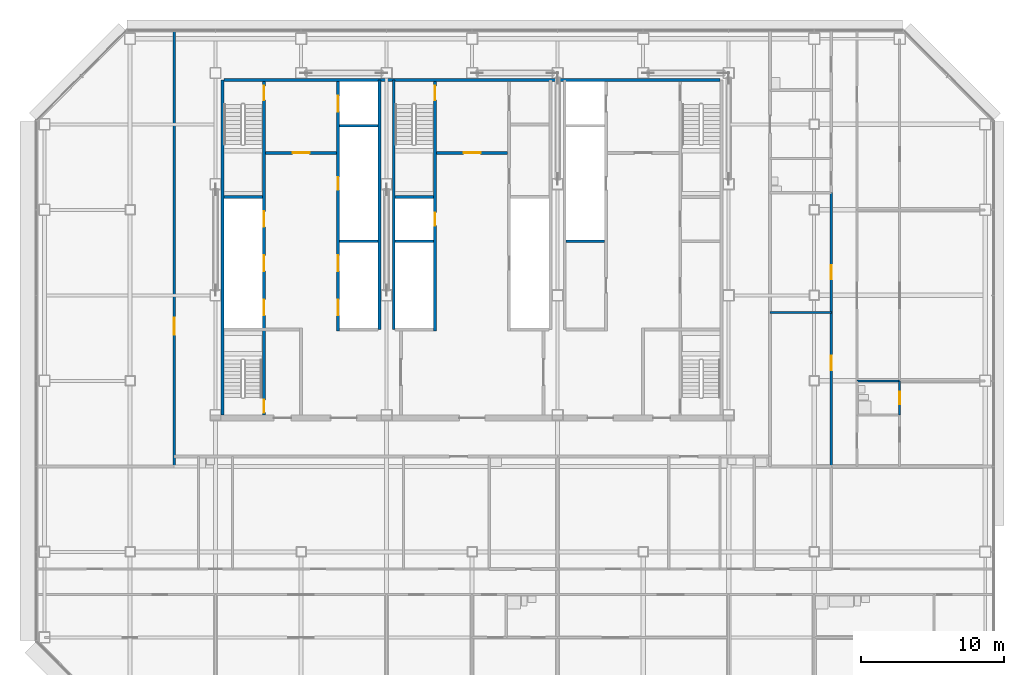
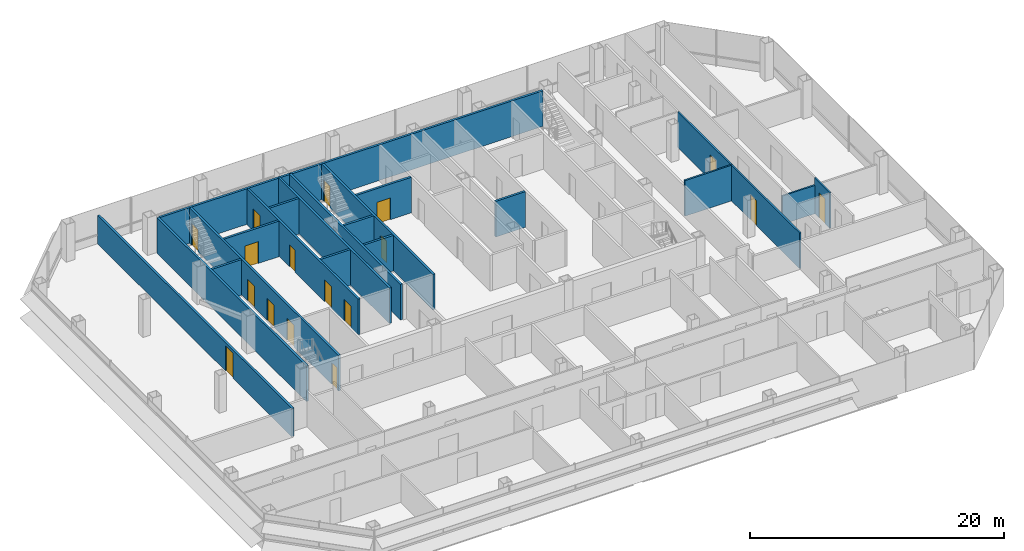
# One storey, part 21 of 25: 20 walls, 17 doors, 17 openings.
"""IFC4 building model written with IfcOpenShell, lengths in metres."""

from ifc_helpers import new_model, si_unit, direction, frame, frame_2d, origin, place, context, subcontext, project, spatial, rectangle, extrude, material, layer, layer_set, type_object, element, fill, save


model = new_model("IFC4")

# Units and contexts
model_context = context("Model", 3, precision=1e-05, world=origin(), true_north=direction((0.0, 1.0)))
body_context = subcontext(model_context, "Body", "Model", "MODEL_VIEW")
ifc_project = project(units=[si_unit("LENGTHUNIT", "METRE"), si_unit("AREAUNIT", "SQUARE_METRE"), si_unit("VOLUMEUNIT", "CUBIC_METRE"), si_unit("PLANEANGLEUNIT", "RADIAN"), si_unit("MASSUNIT", "GRAM", prefix="KILO")], contexts=[model_context])

# Site, building, storey
site_placement = place(None, origin())
site = spatial("IfcSite", under=ifc_project, at=site_placement, CompositionType="ELEMENT")
building_placement = place(site_placement, origin())
building = spatial("IfcBuilding", under=site, at=building_placement, Name="Sorahane Residences", CompositionType="ELEMENT")
storey_placement = place(building_placement, frame((0.0, 0.0, 130.39990234375)))
storey = spatial("IfcBuildingStorey", under=building, at=storey_placement, Name="L29", CompositionType="ELEMENT", Elevation=130.39990234375)

# Walls
ifc_material_1 = material(Name="Concrete C30", Category="concrete")
ifc_layer_1 = layer(ifc_material_1, 0.199951171875)
ifc_layer_set_1 = layer_set([ifc_layer_1], Name="Core face wall 200 EI 180")
wall_type_1 = type_object("IfcWallType", Name="Core face wall 200 EI 180", PredefinedType="SOLIDWALL", material=ifc_layer_set_1)
wall_1_placement = place(storey_placement, frame((6.5, 21.60009765625, 0.0), z_axis=(0.0, 0.0, 1.0), x_axis=(0.0, 1.0, 0.0)))
element("IfcWall", 1, at=wall_1_placement, inside=storey, type_object=wall_type_1, Name="L29 core face wall", PredefinedType="SOLIDWALL", context=body_context, shape_type="SweptSolid", body=[
    extrude(rectangle(XDim=23.5, YDim=0.199951171875, at=frame_2d((11.75, 0.0))), origin(), (0.0, 0.0, 1.0), 3.420166015625),
])
wall_2_placement = place(storey_placement, frame((6.60009765625, 45.10009765625, 0.0), z_axis=(0.0, 0.0, 1.0), x_axis=(1.0, 0.0, 0.0)))
element("IfcWall", 2, at=wall_2_placement, inside=storey, type_object=wall_type_1, Name="L29 core face wall", PredefinedType="SOLIDWALL", context=body_context, shape_type="SweptSolid", body=[
    extrude(rectangle(XDim=34.7998046875, YDim=0.199951171875, at=frame_2d((17.39990234375, 0.0))), origin(), (0.0, 0.0, 1.0), 3.420166015625),
])
for number, where, z_axis, x_axis, name in (
    (3, (17.5, 27.60009765625, 0.0), (0.0, 0.0, 1.0), (0.0, 1.0, 0.0), "L29 core face wall"),
    (4, (18.5, 27.60009765625, 0.0), (0.0, 0.0, 1.0), (0.0, 1.0, 0.0), "L29 core face wall"),
):
    element("IfcWall", number, at=place(storey_placement, frame(where, z_axis=z_axis, x_axis=x_axis)), inside=storey, type_object=wall_type_1, Name=name, PredefinedType="SOLIDWALL", context=body_context, shape_type="SweptSolid", body=[
        extrude(rectangle(XDim=17.5, YDim=0.199951171875, at=frame_2d((8.75, 0.0))), origin(), (0.0, 0.0, 1.0), 3.420166015625),
    ])

# Wall, opening, door
ifc_material_2 = material(Name="Concrete blockwork C20 wall", Category="masonry")
ifc_layer_2 = layer(ifc_material_2, 0.199951171875)
ifc_layer_set_2 = layer_set([ifc_layer_2], Name="Corridor wall 200 EI 120")
wall_type_2 = type_object("IfcWallType", Name="Corridor wall 200 EI 120", PredefinedType="SOLIDWALL", material=ifc_layer_set_2)
wall_3_placement = place(storey_placement, frame((3.10009765625, 18.0, 0.0), z_axis=(0.0, 0.0, 1.0), x_axis=(0.0, 1.0, 0.0)))
wall_3 = element("IfcWall", 5, at=wall_3_placement, inside=storey, type_object=wall_type_2, Name="L29 corridor wall", PredefinedType="SOLIDWALL", context=body_context, shape_type="SweptSolid", body=[
    extrude(rectangle(XDim=30.60009765625, YDim=0.199951171875, at=frame_2d((15.300048828125, 0.0))), origin(), (0.0, 0.0, 1.0), 2.72021484375),
])
opening_1_placement = place(wall_3_placement, frame((9.22998046875, 0.0, 0.0)))
opening_1 = element("IfcOpeningElement", 6, at=opening_1_placement, cuts=wall_3, Name="Opening L29-41", PredefinedType="OPENING", context=body_context, shape_type="SweptSolid", body=[
    extrude(rectangle(XDim=1.199951171875, YDim=2.39990234375, at=frame_2d((0.60009765625, 1.199951171875))), frame((0.0, 0.10986328125, 0.0), z_axis=(0.0, -1.0, 0.0), x_axis=(1.0, 0.0, 0.0)), (0.0, 0.0, 1.0), 0.219970703125),
])
ifc_material_3 = material(Name="Steel", Category="steel")
door_type_1 = type_object("IfcDoorType", Name="Lobby door 1200x2400 FD60", OperationType="NOTDEFINED", PredefinedType="DOOR", material=ifc_material_3)
door_1_placement = place(opening_1_placement, origin())
door_1 = element("IfcDoor", 7, at=door_1_placement, inside=storey, type_object=door_type_1, Name="Lobby door L29-41", OperationType="SINGLE_SWING_RIGHT", OverallHeight=2.39990234375, OverallWidth=1.199951171875, PredefinedType="DOOR", context=body_context, shape_type="SweptSolid", body=[
    extrude(rectangle(XDim=1.199951171875, YDim=2.39990234375, at=frame_2d((0.60009765625, 1.199951171875))), frame((0.0, 0.02490234375, 0.0), z_axis=(0.0, -1.0, 0.0), x_axis=(1.0, 0.0, 0.0)), (0.0, 0.0, 1.0), 0.050048828125),
])
fill(opening_1, door_1)

ifc_material_4 = material(Name="Concrete C30", Category="concrete")
ifc_layer_3 = layer(ifc_material_4, 0.199951171875)
ifc_layer_set_3 = layer_set([ifc_layer_3], Name="Front room wall 200 EI 120")
wall_type_3 = type_object("IfcWallType", Name="Front room wall 200 EI 120", PredefinedType="PARTITIONING", material=ifc_layer_set_3)
wall_4_placement = place(storey_placement, frame((21.5, 40.0, 0.0), z_axis=(0.0, 0.0, 1.0), x_axis=(1.0, 0.0, 0.0)))
wall_4 = element("IfcWall", 8, at=wall_4_placement, inside=storey, type_object=wall_type_3, Name="L29 front room wall", PredefinedType="PARTITIONING", context=body_context, shape_type="SweptSolid", body=[
    extrude(rectangle(XDim=5.0, YDim=0.199951171875, at=frame_2d((2.5, 0.0))), origin(), (0.0, 0.0, 1.0), 3.420166015625),
])
opening_2_placement = place(wall_4_placement, frame((1.89990234375, 0.0, 0.0)))
opening_2 = element("IfcOpeningElement", 9, at=opening_2_placement, cuts=wall_4, Name="Opening L29-C09", PredefinedType="OPENING", context=body_context, shape_type="SweptSolid", body=[
    extrude(rectangle(XDim=1.199951171875, YDim=2.10009765625, at=frame_2d((0.60009765625, 1.050048828125))), frame((0.0, 0.10986328125, 0.0), z_axis=(0.0, -1.0, 0.0), x_axis=(1.0, 0.0, 0.0)), (0.0, 0.0, 1.0), 0.219970703125),
])
ifc_material_5 = material(Name="Steel", Category="steel")
door_type_2 = type_object("IfcDoorType", Name="Front room door 1200x2100 FD120", OperationType="NOTDEFINED", PredefinedType="DOOR", material=ifc_material_5)
door_2_placement = place(opening_2_placement, frame((1.199951171875, 0.0, 0.0), z_axis=(0.0, 0.0, 1.0), x_axis=(-1.0, 0.0, 0.0)))
door_2 = element("IfcDoor", 10, at=door_2_placement, inside=storey, type_object=door_type_2, Name="Front room door Stair S3 vestibule L29", OperationType="DOUBLE_DOOR_SINGLE_SWING", OverallHeight=2.10009765625, OverallWidth=1.199951171875, PredefinedType="DOOR", context=body_context, shape_type="SweptSolid", body=[
    extrude(rectangle(XDim=1.199951171875, YDim=2.10009765625, at=frame_2d((0.60009765625, 1.050048828125))), frame((0.0, 0.02490234375, 0.0), z_axis=(0.0, -1.0, 0.0), x_axis=(1.0, 0.0, 0.0)), (0.0, 0.0, 1.0), 0.050048828125),
])
fill(opening_2, door_2)

wall_5_placement = place(storey_placement, frame((9.5, 40.0, 0.0), z_axis=(0.0, 0.0, 1.0), x_axis=(1.0, 0.0, 0.0)))
wall_5 = element("IfcWall", 11, at=wall_5_placement, inside=storey, type_object=wall_type_3, Name="L29 front room wall", PredefinedType="PARTITIONING", context=body_context, shape_type="SweptSolid", body=[
    extrude(rectangle(XDim=5.0, YDim=0.199951171875, at=frame_2d((2.5, 0.0))), origin(), (0.0, 0.0, 1.0), 3.420166015625),
])
opening_3_placement = place(wall_5_placement, frame((1.89990234375, 0.0, 0.0)))
opening_3 = element("IfcOpeningElement", 12, at=opening_3_placement, cuts=wall_5, Name="Opening L29-C08", PredefinedType="OPENING", context=body_context, shape_type="SweptSolid", body=[
    extrude(rectangle(XDim=1.199951171875, YDim=2.10009765625, at=frame_2d((0.60009765625, 1.050048828125))), frame((0.0, 0.10986328125, 0.0), z_axis=(0.0, -1.0, 0.0), x_axis=(1.0, 0.0, 0.0)), (0.0, 0.0, 1.0), 0.219970703125),
])
door_3_placement = place(opening_3_placement, frame((1.199951171875, 0.0, 0.0), z_axis=(0.0, 0.0, 1.0), x_axis=(-1.0, 0.0, 0.0)))
door_3 = element("IfcDoor", 13, at=door_3_placement, inside=storey, type_object=door_type_2, Name="Front room door Firefighting lobby FF1 front room L29", OperationType="DOUBLE_DOOR_SINGLE_SWING", OverallHeight=2.10009765625, OverallWidth=1.199951171875, PredefinedType="DOOR", context=body_context, shape_type="SweptSolid", body=[
    extrude(rectangle(XDim=1.199951171875, YDim=2.10009765625, at=frame_2d((0.60009765625, 1.050048828125))), frame((0.0, 0.02490234375, 0.0), z_axis=(0.0, -1.0, 0.0), x_axis=(1.0, 0.0, 0.0)), (0.0, 0.0, 1.0), 0.050048828125),
])
fill(opening_3, door_3)

# Wall, openings, doors
ifc_material_6 = material(Name="Concrete C30", Category="concrete")
ifc_layer_4 = layer(ifc_material_6, 0.199951171875)
ifc_layer_set_4 = layer_set([ifc_layer_4], Name="Lift shaft wall 200 EI 120")
wall_type_4 = type_object("IfcWallType", Name="Lift shaft wall 200 EI 120", PredefinedType="SOLIDWALL", material=ifc_layer_set_4)
wall_6_placement = place(storey_placement, frame((14.60009765625, 27.5, 0.0), z_axis=(0.0, 0.0, 1.0), x_axis=(0.0, 1.0, 0.0)))
wall_6 = element("IfcWall", 14, at=wall_6_placement, inside=storey, type_object=wall_type_4, Name="L29 lift shaft wall", PredefinedType="SOLIDWALL", context=body_context, shape_type="SweptSolid", body=[
    extrude(rectangle(XDim=17.5, YDim=0.199951171875, at=frame_2d((8.75, 0.0))), origin(), (0.0, 0.0, 1.0), 3.420166015625),
])
opening_4_placement = place(wall_6_placement, frame((1.10009765625, 0.0, 0.0)))
opening_4 = element("IfcOpeningElement", 15, at=opening_4_placement, cuts=wall_6, Name="Opening L29-C12", PredefinedType="OPENING", context=body_context, shape_type="SweptSolid", body=[
    extrude(rectangle(XDim=1.10009765625, YDim=2.10009765625, at=frame_2d((0.550048828125, 1.050048828125))), frame((0.0, 0.10986328125, 0.0), z_axis=(0.0, -1.0, 0.0), x_axis=(1.0, 0.0, 0.0)), (0.0, 0.0, 1.0), 0.219970703125),
])
opening_5_placement = place(wall_6_placement, frame((4.199951171875, 0.0, 0.0)))
opening_5 = element("IfcOpeningElement", 16, at=opening_5_placement, cuts=wall_6, Name="Opening L29-C13", PredefinedType="OPENING", context=body_context, shape_type="SweptSolid", body=[
    extrude(rectangle(XDim=1.10009765625, YDim=2.10009765625, at=frame_2d((0.550048828125, 1.050048828125))), frame((0.0, 0.10986328125, 0.0), z_axis=(0.0, -1.0, 0.0), x_axis=(1.0, 0.0, 0.0)), (0.0, 0.0, 1.0), 0.219970703125),
])
opening_6_placement = place(wall_6_placement, frame((15.39990234375, 0.0, 0.0)))
opening_6 = element("IfcOpeningElement", 17, at=opening_6_placement, cuts=wall_6, Name="Opening L29-C14", PredefinedType="OPENING", context=body_context, shape_type="SweptSolid", body=[
    extrude(rectangle(XDim=1.10009765625, YDim=2.10009765625, at=frame_2d((0.550048828125, 1.050048828125))), frame((0.0, 0.10986328125, 0.0), z_axis=(0.0, -1.0, 0.0), x_axis=(1.0, 0.0, 0.0)), (0.0, 0.0, 1.0), 0.219970703125),
])
opening_7_placement = place(wall_6_placement, frame((9.89990234375, 0.0, 0.0)))
opening_7 = element("IfcOpeningElement", 18, at=opening_7_placement, cuts=wall_6, Name="Opening L29-C26", PredefinedType="OPENING", context=body_context, shape_type="SweptSolid", body=[
    extrude(rectangle(XDim=0.89990234375, YDim=2.10009765625, at=frame_2d((0.449951171875, 1.050048828125))), frame((0.0, 0.10986328125, 0.0), z_axis=(0.0, -1.0, 0.0), x_axis=(1.0, 0.0, 0.0)), (0.0, 0.0, 1.0), 0.219970703125),
])
ifc_material_7 = material(Name="Aluminium and stainless steel", Category="steel")
door_type_3 = type_object("IfcDoorType", Name="Lift landing door 1100x2100 E 60", OperationType="NOTDEFINED", PredefinedType="DOOR", material=ifc_material_7)
door_4_placement = place(opening_4_placement, origin())
door_4 = element("IfcDoor", 19, at=door_4_placement, inside=storey, type_object=door_type_3, Name="Lift landing door LR4 L29", OperationType="DOUBLE_DOOR_SLIDING", OverallHeight=2.10009765625, OverallWidth=1.10009765625, PredefinedType="DOOR", context=body_context, shape_type="SweptSolid", body=[
    extrude(rectangle(XDim=1.10009765625, YDim=2.10009765625, at=frame_2d((0.550048828125, 1.050048828125))), frame((0.0, 0.02490234375, 0.0), z_axis=(0.0, -1.0, 0.0), x_axis=(1.0, 0.0, 0.0)), (0.0, 0.0, 1.0), 0.050048828125),
])
fill(opening_4, door_4)
door_5_placement = place(opening_5_placement, origin())
door_5 = element("IfcDoor", 20, at=door_5_placement, inside=storey, type_object=door_type_3, Name="Lift landing door LR5 L29", OperationType="DOUBLE_DOOR_SLIDING", OverallHeight=2.10009765625, OverallWidth=1.10009765625, PredefinedType="DOOR", context=body_context, shape_type="SweptSolid", body=[
    extrude(rectangle(XDim=1.10009765625, YDim=2.10009765625, at=frame_2d((0.550048828125, 1.050048828125))), frame((0.0, 0.02490234375, 0.0), z_axis=(0.0, -1.0, 0.0), x_axis=(1.0, 0.0, 0.0)), (0.0, 0.0, 1.0), 0.050048828125),
])
fill(opening_5, door_5)
door_6_placement = place(opening_6_placement, origin())
door_6 = element("IfcDoor", 21, at=door_6_placement, inside=storey, type_object=door_type_3, Name="Lift landing door FF1 L29", OperationType="DOUBLE_DOOR_SLIDING", OverallHeight=2.10009765625, OverallWidth=1.10009765625, PredefinedType="DOOR", context=body_context, shape_type="SweptSolid", body=[
    extrude(rectangle(XDim=1.10009765625, YDim=2.10009765625, at=frame_2d((0.550048828125, 1.050048828125))), frame((0.0, 0.02490234375, 0.0), z_axis=(0.0, -1.0, 0.0), x_axis=(1.0, 0.0, 0.0)), (0.0, 0.0, 1.0), 0.050048828125),
])
fill(opening_6, door_6)
ifc_material_8 = material(Name="Steel", Category="steel")
door_type_4 = type_object("IfcDoorType", Name="Riser door 900x2100 FD120", OperationType="NOTDEFINED", PredefinedType="DOOR", material=ifc_material_8)
door_7_placement = place(opening_7_placement, origin())
door_7 = element("IfcDoor", 22, at=door_7_placement, inside=storey, type_object=door_type_4, Name="Riser door R1 L29", OperationType="SINGLE_SWING_LEFT", OverallHeight=2.10009765625, OverallWidth=0.89990234375, PredefinedType="DOOR", context=body_context, shape_type="SweptSolid", body=[
    extrude(rectangle(XDim=0.89990234375, YDim=2.10009765625, at=frame_2d((0.449951171875, 1.050048828125))), frame((0.0, 0.02490234375, 0.0), z_axis=(0.0, -1.0, 0.0), x_axis=(1.0, 0.0, 0.0)), (0.0, 0.0, 1.0), 0.050048828125),
])
fill(opening_7, door_7)

# Walls
for number, where, z_axis, x_axis, name in (
    (23, (14.699951171875, 33.800048828125, 0.0), (0.0, 0.0, 1.0), (1.0, 0.0, 0.0), "L29 lift shaft wall"),
    (24, (18.60009765625, 33.800048828125, 0.0), (0.0, 0.0, 1.0), (1.0, 0.0, 0.0), "L29 lift shaft wall"),
    (25, (14.699951171875, 41.89990234375, 0.0), (0.0, 0.0, 1.0), (1.0, 0.0, 0.0), "L29 lift shaft wall"),
):
    element("IfcWall", number, at=place(storey_placement, frame(where, z_axis=z_axis, x_axis=x_axis)), inside=storey, type_object=wall_type_4, Name=name, PredefinedType="SOLIDWALL", context=body_context, shape_type="SweptSolid", body=[
        extrude(rectangle(XDim=2.699951171875, YDim=0.199951171875, at=frame_2d((1.35009765625, 0.0))), origin(), (0.0, 0.0, 1.0), 3.420166015625),
    ])

# Wall, openings, doors
ifc_material_9 = material(Name="Gypsum board partition on steel studs", Category="steel")
ifc_layer_5 = layer(ifc_material_9, 0.14990234375)
ifc_layer_set_5 = layer_set([ifc_layer_5], Name="Partition 150 EI 90")
wall_type_5 = type_object("IfcWallType", Name="Partition 150 EI 90", PredefinedType="PARTITIONING", material=ifc_layer_set_5)
wall_7_placement = place(storey_placement, frame((49.199951171875, 18.0, 0.0), z_axis=(0.0, 0.0, 1.0), x_axis=(0.0, 1.0, 0.0)))
wall_7 = element("IfcWall", 26, at=wall_7_placement, inside=storey, type_object=wall_type_5, Name="L29 partition", PredefinedType="PARTITIONING", context=body_context, shape_type="SweptSolid", body=[
    extrude(rectangle(XDim=19.199951171875, YDim=0.14990234375, at=frame_2d((9.60009765625, 0.0))), origin(), (0.0, 0.0, 1.0), 3.420166015625),
])
opening_8_placement = place(wall_7_placement, frame((6.760009765625, 0.0, 0.0)))
opening_8 = element("IfcOpeningElement", 27, at=opening_8_placement, cuts=wall_7, Name="Opening L29-27", PredefinedType="OPENING", context=body_context, shape_type="SweptSolid", body=[
    extrude(rectangle(XDim=1.0, YDim=2.39990234375, at=frame_2d((0.5, 1.199951171875))), frame((0.0, 0.0849609375, 0.0), z_axis=(0.0, -1.0, 0.0), x_axis=(1.0, 0.0, 0.0)), (0.0, 0.0, 1.0), 0.169921875),
])
opening_9_placement = place(wall_7_placement, frame((13.1201171875, 0.0, 0.0)))
opening_9 = element("IfcOpeningElement", 28, at=opening_9_placement, cuts=wall_7, Name="Opening L29-28", PredefinedType="OPENING", context=body_context, shape_type="SweptSolid", body=[
    extrude(rectangle(XDim=1.0, YDim=2.39990234375, at=frame_2d((0.5, 1.199951171875))), frame((0.0, 0.0849609375, 0.0), z_axis=(0.0, -1.0, 0.0), x_axis=(1.0, 0.0, 0.0)), (0.0, 0.0, 1.0), 0.169921875),
])
ifc_material_10 = material(Name="Timber veneered fire door", Category="wood")
door_type_5 = type_object("IfcDoorType", Name="Room door 1000x2400 FD30", OperationType="NOTDEFINED", PredefinedType="DOOR", material=ifc_material_10)
door_8_placement = place(opening_8_placement, origin())
door_8 = element("IfcDoor", 29, at=door_8_placement, inside=storey, type_object=door_type_5, Name="Room door L29-27", OperationType="SINGLE_SWING_LEFT", OverallHeight=2.39990234375, OverallWidth=1.0, PredefinedType="DOOR", context=body_context, shape_type="SweptSolid", body=[
    extrude(rectangle(XDim=1.0, YDim=2.39990234375, at=frame_2d((0.5, 1.199951171875))), frame((0.0, 0.02490234375, 0.0), z_axis=(0.0, -1.0, 0.0), x_axis=(1.0, 0.0, 0.0)), (0.0, 0.0, 1.0), 0.050048828125),
])
fill(opening_8, door_8)
door_9_placement = place(opening_9_placement, origin())
door_9 = element("IfcDoor", 30, at=door_9_placement, inside=storey, type_object=door_type_5, Name="Room door L29-28", OperationType="SINGLE_SWING_RIGHT", OverallHeight=2.39990234375, OverallWidth=1.0, PredefinedType="DOOR", context=body_context, shape_type="SweptSolid", body=[
    extrude(rectangle(XDim=1.0, YDim=2.39990234375, at=frame_2d((0.5, 1.199951171875))), frame((0.0, 0.02490234375, 0.0), z_axis=(0.0, -1.0, 0.0), x_axis=(1.0, 0.0, 0.0)), (0.0, 0.0, 1.0), 0.050048828125),
])
fill(opening_9, door_9)

# Walls
wall_8_placement = place(storey_placement, frame((44.89990234375, 28.800048828125, 0.0), z_axis=(0.0, 0.0, 1.0), x_axis=(1.0, 0.0, 0.0)))
element("IfcWall", 31, at=wall_8_placement, inside=storey, type_object=wall_type_5, Name="L29 partition", PredefinedType="PARTITIONING", context=body_context, shape_type="SweptSolid", body=[
    extrude(rectangle(XDim=4.300048828125, YDim=0.14990234375, at=frame_2d((2.14990234375, 0.0))), origin(), (0.0, 0.0, 1.0), 3.420166015625),
])
ifc_material_11 = material(Name="Concrete C30", Category="concrete")
ifc_layer_6 = layer(ifc_material_11, 0.199951171875)
ifc_layer_set_6 = layer_set([ifc_layer_6], Name="Riser shaft wall 200 EI 120")
wall_type_6 = type_object("IfcWallType", Name="Riser shaft wall 200 EI 120", PredefinedType="SOLIDWALL", material=ifc_layer_set_6)
wall_9_placement = place(storey_placement, frame((30.60009765625, 33.800048828125, 0.0), z_axis=(0.0, 0.0, 1.0), x_axis=(1.0, 0.0, 0.0)))
element("IfcWall", 32, at=wall_9_placement, inside=storey, type_object=wall_type_6, Name="L29 riser wall", PredefinedType="SOLIDWALL", context=body_context, shape_type="SweptSolid", body=[
    extrude(rectangle(XDim=2.699951171875, YDim=0.199951171875, at=frame_2d((1.35009765625, 0.0))), origin(), (0.0, 0.0, 1.0), 3.420166015625),
])

# Wall, openings, doors
ifc_material_12 = material(Name="Concrete C30", Category="concrete")
ifc_layer_7 = layer(ifc_material_12, 0.199951171875)
ifc_layer_set_7 = layer_set([ifc_layer_7], Name="Stair enclosure wall 200 EI 120")
wall_type_7 = type_object("IfcWallType", Name="Stair enclosure wall 200 EI 120", PredefinedType="SOLIDWALL", material=ifc_layer_set_7)
wall_10_placement = place(storey_placement, frame((21.39990234375, 27.5, 0.0), z_axis=(0.0, 0.0, 1.0), x_axis=(0.0, 1.0, 0.0)))
wall_10 = element("IfcWall", 33, at=wall_10_placement, inside=storey, type_object=wall_type_7, Name="L29 stair enclosure wall", PredefinedType="SOLIDWALL", context=body_context, shape_type="SweptSolid", body=[
    extrude(rectangle(XDim=17.5, YDim=0.199951171875, at=frame_2d((8.75, 0.0))), origin(), (0.0, 0.0, 1.0), 3.420166015625),
])
opening_10_placement = place(wall_10_placement, frame((16.199951171875, 0.0, 0.0)))
opening_10 = element("IfcOpeningElement", 34, at=opening_10_placement, cuts=wall_10, Name="Opening L29-C23", PredefinedType="OPENING", context=body_context, shape_type="SweptSolid", body=[
    extrude(rectangle(XDim=1.0, YDim=2.10009765625, at=frame_2d((0.5, 1.050048828125))), frame((0.0, 0.10986328125, 0.0), z_axis=(0.0, -1.0, 0.0), x_axis=(1.0, 0.0, 0.0)), (0.0, 0.0, 1.0), 0.219970703125),
])
opening_11_placement = place(wall_10_placement, frame((7.39990234375, 0.0, 0.0)))
opening_11 = element("IfcOpeningElement", 35, at=opening_11_placement, cuts=wall_10, Name="Opening L29-C28", PredefinedType="OPENING", context=body_context, shape_type="SweptSolid", body=[
    extrude(rectangle(XDim=0.89990234375, YDim=2.10009765625, at=frame_2d((0.449951171875, 1.050048828125))), frame((0.0, 0.10986328125, 0.0), z_axis=(0.0, -1.0, 0.0), x_axis=(1.0, 0.0, 0.0)), (0.0, 0.0, 1.0), 0.219970703125),
])
door_10_placement = place(opening_11_placement, frame((0.89990234375, 0.0, 0.0), z_axis=(0.0, 0.0, 1.0), x_axis=(-1.0, 0.0, 0.0)))
door_10 = element("IfcDoor", 36, at=door_10_placement, inside=storey, type_object=door_type_4, Name="Riser door R3 L29", OperationType="SINGLE_SWING_LEFT", OverallHeight=2.10009765625, OverallWidth=0.89990234375, PredefinedType="DOOR", context=body_context, shape_type="SweptSolid", body=[
    extrude(rectangle(XDim=0.89990234375, YDim=2.10009765625, at=frame_2d((0.449951171875, 1.050048828125))), frame((0.0, 0.02490234375, 0.0), z_axis=(0.0, -1.0, 0.0), x_axis=(1.0, 0.0, 0.0)), (0.0, 0.0, 1.0), 0.050048828125),
])
fill(opening_11, door_10)
ifc_material_13 = material(Name="Steel", Category="steel")
door_type_6 = type_object("IfcDoorType", Name="Stair door 1000x2100 FD120", OperationType="NOTDEFINED", PredefinedType="DOOR", material=ifc_material_13)
door_11_placement = place(opening_10_placement, origin())
door_11 = element("IfcDoor", 37, at=door_11_placement, inside=storey, type_object=door_type_6, Name="Stair door S3 L29", OperationType="SINGLE_SWING_LEFT", OverallHeight=2.10009765625, OverallWidth=1.0, PredefinedType="DOOR", context=body_context, shape_type="SweptSolid", body=[
    extrude(rectangle(XDim=1.0, YDim=2.10009765625, at=frame_2d((0.5, 1.050048828125))), frame((0.0, 0.02490234375, 0.0), z_axis=(0.0, -1.0, 0.0), x_axis=(1.0, 0.0, 0.0)), (0.0, 0.0, 1.0), 0.050048828125),
])
fill(opening_10, door_11)

wall_11_placement = place(storey_placement, frame((9.39990234375, 21.60009765625, 0.0), z_axis=(0.0, 0.0, 1.0), x_axis=(0.0, 1.0, 0.0)))
wall_11 = element("IfcWall", 38, at=wall_11_placement, inside=storey, type_object=wall_type_7, Name="L29 stair enclosure wall", PredefinedType="SOLIDWALL", context=body_context, shape_type="SweptSolid", body=[
    extrude(rectangle(XDim=23.39990234375, YDim=0.199951171875, at=frame_2d((11.699951171875, 0.0))), origin(), (0.0, 0.0, 1.0), 3.420166015625),
])
opening_12_placement = place(wall_11_placement, frame((7.0, 0.0, 0.0)))
opening_12 = element("IfcOpeningElement", 39, at=opening_12_placement, cuts=wall_11, Name="Opening L29-C15", PredefinedType="OPENING", context=body_context, shape_type="SweptSolid", body=[
    extrude(rectangle(XDim=1.10009765625, YDim=2.10009765625, at=frame_2d((0.550048828125, 1.050048828125))), frame((0.0, 0.10986328125, 0.0), z_axis=(0.0, -1.0, 0.0), x_axis=(1.0, 0.0, 0.0)), (0.0, 0.0, 1.0), 0.219970703125),
])
opening_13_placement = place(wall_11_placement, frame((10.10009765625, 0.0, 0.0)))
opening_13 = element("IfcOpeningElement", 40, at=opening_13_placement, cuts=wall_11, Name="Opening L29-C16", PredefinedType="OPENING", context=body_context, shape_type="SweptSolid", body=[
    extrude(rectangle(XDim=1.10009765625, YDim=2.10009765625, at=frame_2d((0.550048828125, 1.050048828125))), frame((0.0, 0.10986328125, 0.0), z_axis=(0.0, -1.0, 0.0), x_axis=(1.0, 0.0, 0.0)), (0.0, 0.0, 1.0), 0.219970703125),
])
opening_14_placement = place(wall_11_placement, frame((13.199951171875, 0.0, 0.0)))
opening_14 = element("IfcOpeningElement", 41, at=opening_14_placement, cuts=wall_11, Name="Opening L29-C17", PredefinedType="OPENING", context=body_context, shape_type="SweptSolid", body=[
    extrude(rectangle(XDim=1.10009765625, YDim=2.10009765625, at=frame_2d((0.550048828125, 1.050048828125))), frame((0.0, 0.10986328125, 0.0), z_axis=(0.0, -1.0, 0.0), x_axis=(1.0, 0.0, 0.0)), (0.0, 0.0, 1.0), 0.219970703125),
])
opening_15_placement = place(wall_11_placement, frame((22.10009765625, 0.0, 0.0)))
opening_15 = element("IfcOpeningElement", 42, at=opening_15_placement, cuts=wall_11, Name="Opening L29-C21", PredefinedType="OPENING", context=body_context, shape_type="SweptSolid", body=[
    extrude(rectangle(XDim=1.0, YDim=2.10009765625, at=frame_2d((0.5, 1.050048828125))), frame((0.0, 0.10986328125, 0.0), z_axis=(0.0, -1.0, 0.0), x_axis=(1.0, 0.0, 0.0)), (0.0, 0.0, 1.0), 0.219970703125),
])
opening_16_placement = place(wall_11_placement, frame((0.175048828125, 0.0, 0.0)))
opening_16 = element("IfcOpeningElement", 43, at=opening_16_placement, cuts=wall_11, Name="Opening L29-C24", PredefinedType="OPENING", context=body_context, shape_type="SweptSolid", body=[
    extrude(rectangle(XDim=0.89990234375, YDim=2.10009765625, at=frame_2d((0.449951171875, 1.050048828125))), frame((0.0, 0.10986328125, 0.0), z_axis=(0.0, -1.0, 0.0), x_axis=(1.0, 0.0, 0.0)), (0.0, 0.0, 1.0), 0.219970703125),
])
door_12_placement = place(opening_12_placement, origin())
door_12 = element("IfcDoor", 44, at=door_12_placement, inside=storey, type_object=door_type_3, Name="Lift landing door LR1 L29", OperationType="DOUBLE_DOOR_SLIDING", OverallHeight=2.10009765625, OverallWidth=1.10009765625, PredefinedType="DOOR", context=body_context, shape_type="SweptSolid", body=[
    extrude(rectangle(XDim=1.10009765625, YDim=2.10009765625, at=frame_2d((0.550048828125, 1.050048828125))), frame((0.0, 0.02490234375, 0.0), z_axis=(0.0, -1.0, 0.0), x_axis=(1.0, 0.0, 0.0)), (0.0, 0.0, 1.0), 0.050048828125),
])
fill(opening_12, door_12)
door_13_placement = place(opening_13_placement, origin())
door_13 = element("IfcDoor", 45, at=door_13_placement, inside=storey, type_object=door_type_3, Name="Lift landing door LR2 L29", OperationType="DOUBLE_DOOR_SLIDING", OverallHeight=2.10009765625, OverallWidth=1.10009765625, PredefinedType="DOOR", context=body_context, shape_type="SweptSolid", body=[
    extrude(rectangle(XDim=1.10009765625, YDim=2.10009765625, at=frame_2d((0.550048828125, 1.050048828125))), frame((0.0, 0.02490234375, 0.0), z_axis=(0.0, -1.0, 0.0), x_axis=(1.0, 0.0, 0.0)), (0.0, 0.0, 1.0), 0.050048828125),
])
fill(opening_13, door_13)
door_14_placement = place(opening_14_placement, origin())
door_14 = element("IfcDoor", 46, at=door_14_placement, inside=storey, type_object=door_type_3, Name="Lift landing door LR3 L29", OperationType="DOUBLE_DOOR_SLIDING", OverallHeight=2.10009765625, OverallWidth=1.10009765625, PredefinedType="DOOR", context=body_context, shape_type="SweptSolid", body=[
    extrude(rectangle(XDim=1.10009765625, YDim=2.10009765625, at=frame_2d((0.550048828125, 1.050048828125))), frame((0.0, 0.02490234375, 0.0), z_axis=(0.0, -1.0, 0.0), x_axis=(1.0, 0.0, 0.0)), (0.0, 0.0, 1.0), 0.050048828125),
])
fill(opening_14, door_14)
door_15_placement = place(opening_15_placement, origin())
door_15 = element("IfcDoor", 47, at=door_15_placement, inside=storey, type_object=door_type_6, Name="Stair door S1 L29", OperationType="SINGLE_SWING_LEFT", OverallHeight=2.10009765625, OverallWidth=1.0, PredefinedType="DOOR", context=body_context, shape_type="SweptSolid", body=[
    extrude(rectangle(XDim=1.0, YDim=2.10009765625, at=frame_2d((0.5, 1.050048828125))), frame((0.0, 0.02490234375, 0.0), z_axis=(0.0, -1.0, 0.0), x_axis=(1.0, 0.0, 0.0)), (0.0, 0.0, 1.0), 0.050048828125),
])
fill(opening_15, door_15)
ifc_material_14 = material(Name="Steel", Category="steel")
door_type_7 = type_object("IfcDoorType", Name="Stair door 900x2100 FD120", OperationType="NOTDEFINED", PredefinedType="DOOR", material=ifc_material_14)
door_16_placement = place(opening_16_placement, origin())
door_16 = element("IfcDoor", 48, at=door_16_placement, inside=storey, type_object=door_type_7, Name="Stair door S4 L29", OperationType="SINGLE_SWING_LEFT", OverallHeight=2.10009765625, OverallWidth=0.89990234375, PredefinedType="DOOR", context=body_context, shape_type="SweptSolid", body=[
    extrude(rectangle(XDim=0.89990234375, YDim=2.10009765625, at=frame_2d((0.449951171875, 1.050048828125))), frame((0.0, 0.02490234375, 0.0), z_axis=(0.0, -1.0, 0.0), x_axis=(1.0, 0.0, 0.0)), (0.0, 0.0, 1.0), 0.050048828125),
])
fill(opening_16, door_16)

# Walls
for number, where, z_axis, x_axis, name in (
    (49, (18.60009765625, 36.89990234375, 0.0), (0.0, 0.0, 1.0), (1.0, 0.0, 0.0), "L29 stair enclosure wall"),
    (50, (6.60009765625, 36.89990234375, 0.0), (0.0, 0.0, 1.0), (1.0, 0.0, 0.0), "L29 stair enclosure wall"),
):
    element("IfcWall", number, at=place(storey_placement, frame(where, z_axis=z_axis, x_axis=x_axis)), inside=storey, type_object=wall_type_7, Name=name, PredefinedType="SOLIDWALL", context=body_context, shape_type="SweptSolid", body=[
        extrude(rectangle(XDim=2.699951171875, YDim=0.199951171875, at=frame_2d((1.35009765625, 0.0))), origin(), (0.0, 0.0, 1.0), 3.420166015625),
    ])

# Wall, opening, door
ifc_material_15 = material(Name="Gypsum board partition on steel studs", Category="steel")
ifc_layer_8 = layer(ifc_material_15, 0.14990234375)
ifc_layer_set_8 = layer_set([ifc_layer_8], Name="Wet wall 150 EI 90")
wall_type_8 = type_object("IfcWallType", Name="Wet wall 150 EI 90", PredefinedType="PARTITIONING", material=ifc_layer_set_8)
wall_12_placement = place(storey_placement, frame((54.0, 21.60009765625, 0.0), z_axis=(0.0, 0.0, 1.0), x_axis=(0.0, 1.0, 0.0)))
wall_12 = element("IfcWall", 51, at=wall_12_placement, inside=storey, type_object=wall_type_8, Name="L29 wet wall", PredefinedType="PARTITIONING", context=body_context, shape_type="SweptSolid", body=[
    extrude(rectangle(XDim=2.39990234375, YDim=0.14990234375, at=frame_2d((1.199951171875, 0.0))), origin(), (0.0, 0.0, 1.0), 3.420166015625),
])
opening_17_placement = place(wall_12_placement, frame((0.75, 0.0, 0.0)))
opening_17 = element("IfcOpeningElement", 52, at=opening_17_placement, cuts=wall_12, Name="Opening L29-35", PredefinedType="OPENING", context=body_context, shape_type="SweptSolid", body=[
    extrude(rectangle(XDim=0.89990234375, YDim=2.39990234375, at=frame_2d((0.449951171875, 1.199951171875))), frame((0.0, 0.0849609375, 0.0), z_axis=(0.0, -1.0, 0.0), x_axis=(1.0, 0.0, 0.0)), (0.0, 0.0, 1.0), 0.169921875),
])
ifc_material_16 = material(Name="Timber veneered fire door", Category="wood")
door_type_8 = type_object("IfcDoorType", Name="Bathroom door 900x2400 FD30", OperationType="NOTDEFINED", PredefinedType="DOOR", material=ifc_material_16)
door_17_placement = place(opening_17_placement, frame((0.89990234375, 0.0, 0.0), z_axis=(0.0, 0.0, 1.0), x_axis=(-1.0, 0.0, 0.0)))
door_17 = element("IfcDoor", 53, at=door_17_placement, inside=storey, type_object=door_type_8, Name="Bathroom door L29-35", OperationType="SINGLE_SWING_RIGHT", OverallHeight=2.39990234375, OverallWidth=0.89990234375, PredefinedType="DOOR", context=body_context, shape_type="SweptSolid", body=[
    extrude(rectangle(XDim=0.89990234375, YDim=2.39990234375, at=frame_2d((0.449951171875, 1.199951171875))), frame((0.0, 0.02490234375, 0.0), z_axis=(0.0, -1.0, 0.0), x_axis=(1.0, 0.0, 0.0)), (0.0, 0.0, 1.0), 0.050048828125),
])
fill(opening_17, door_17)

# Wall
wall_13_placement = place(storey_placement, frame((51.0, 24.0, 0.0), z_axis=(0.0, 0.0, 1.0), x_axis=(1.0, 0.0, 0.0)))
element("IfcWall", 54, at=wall_13_placement, inside=storey, type_object=wall_type_8, Name="L29 wet wall", PredefinedType="PARTITIONING", context=body_context, shape_type="SweptSolid", body=[
    extrude(rectangle(XDim=3.0, YDim=0.14990234375, at=frame_2d((1.5, 0.0))), origin(), (0.0, 0.0, 1.0), 2.72021484375),
])

save(model, "model.ifc")
